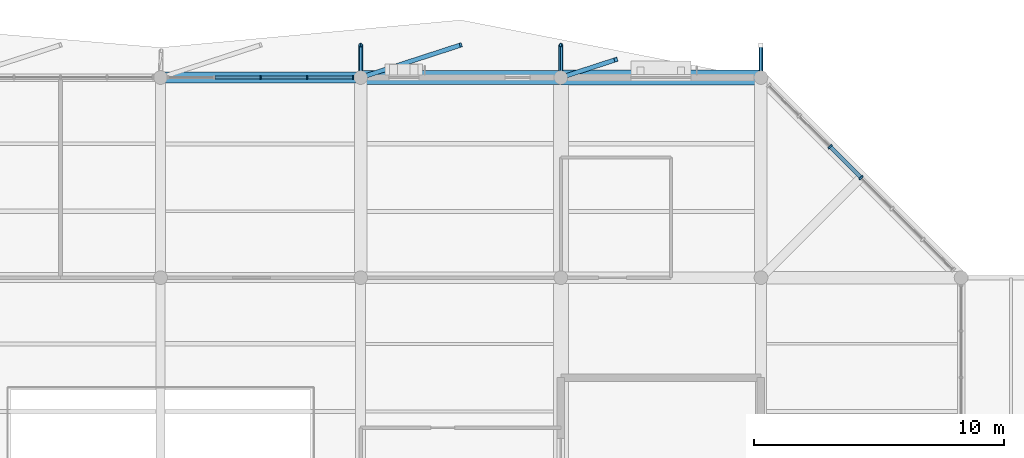
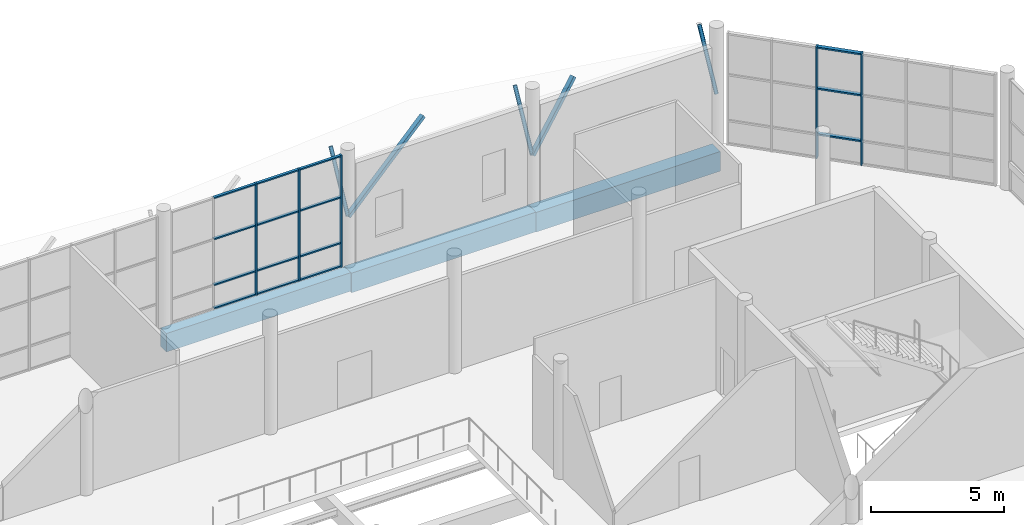
# One storey, part 64 of 122: 25 members, 3 beams, 2 elements without a shape of their own.
"""IFC4 building model written with IfcOpenShell, lengths in metres."""

import ifcopenshell
import ifcopenshell.guid

model = None  # the IFC model being written
_history = None  # IfcOwnerHistory: only IFC2X3 demands one
_inside = {}  # id of a spatial element -> (the spatial element, [elements in it])
_under = {}  # id of a project, library or spatial element -> (it, [spatial elements below it])
_declared = {}  # id of a project -> (the project, [libraries it declares])
_typed = {}  # id of a type object -> (the type object, [elements of that type])
_made_of = {}  # id of a material, layer set ... -> (it, [elements and type objects made of it])


def new_model(schema):
    """Start an empty IFC model of exactly this schema.

    Asked for "IFC4X3", IfcOpenShell would pick the latest addendum, in which some entities
    have other attributes; the version numbers below select the first issue.
    IFC2X3 requires an IfcOwnerHistory on every rooted entity: one is made here for all.
    """
    global model, _history
    if schema == "IFC4X3":
        model = ifcopenshell.file(schema_version=(4, 3, 0, 0))
    else:
        model = ifcopenshell.file(schema=schema)
    _inside.clear()
    _under.clear()
    _declared.clear()
    _typed.clear()
    _made_of.clear()
    _history = None
    if model.schema == "IFC2X3":
        org = make("IfcOrganization", Name="unknown")
        user = make(
            "IfcPersonAndOrganization",
            ThePerson=make("IfcPerson", FamilyName="unknown"),
            TheOrganization=org,
        )
        app = make(
            "IfcApplication",
            ApplicationDeveloper=org,
            Version="unknown",
            ApplicationFullName="unknown",
            ApplicationIdentifier="unknown",
        )
        _history = make(
            "IfcOwnerHistory",
            OwningUser=user,
            OwningApplication=app,
            ChangeAction="ADDED",
            CreationDate=0,
        )
    return model


def make(cls, **values):
    """One entity of the class cls with the attributes given. An attribute that is None is left unset."""
    return model.create_entity(
        cls, **{name: value for name, value in values.items() if value is not None}
    )


def rooted(cls, **values):
    """An entity with a GlobalId (a new one), such as an element, a storey or a relation."""
    return make(cls, GlobalId=ifcopenshell.guid.new(), OwnerHistory=_history, **values)


def si_unit(unit_type, name, prefix=None):
    """IfcSIUnit, for example si_unit("LENGTHUNIT", "METRE", prefix="MILLI")."""
    return make("IfcSIUnit", UnitType=unit_type, Prefix=prefix, Name=name)


def assignment(units):
    """IfcUnitAssignment: the units of a project."""
    return None if units is None else make("IfcUnitAssignment", Units=units)


def point(xyz):
    """IfcCartesianPoint."""
    return None if xyz is None else make("IfcCartesianPoint", Coordinates=xyz)


def direction(xyz):
    """IfcDirection."""
    return None if xyz is None else make("IfcDirection", DirectionRatios=xyz)


def frame(location, z_axis=None, x_axis=None):
    """IfcAxis2Placement3D, a coordinate frame: its origin and axes. An axis left out is left unset."""
    return make(
        "IfcAxis2Placement3D",
        Location=point(location),
        Axis=direction(z_axis),
        RefDirection=direction(x_axis),
    )


def frame_2d(location, x_axis=None):
    """IfcAxis2Placement2D, a coordinate frame in the plane: its origin and x axis."""
    return make(
        "IfcAxis2Placement2D", Location=point(location), RefDirection=direction(x_axis)
    )


def origin():
    """The frame at (0, 0, 0) with its axes left unset."""
    return frame((0.0, 0.0, 0.0))


def origin_2d():
    """The frame at (0, 0) in the plane with its x axis left unset."""
    return frame_2d((0.0, 0.0))


def place(relative_to, where):
    """IfcLocalPlacement: puts the frame where relative to a parent placement (None: the world)."""
    return make(
        "IfcLocalPlacement", PlacementRelTo=relative_to, RelativePlacement=where
    )


def context(
    kind, dimensions, precision=None, world=None, true_north=None, identifier=None
):
    """IfcGeometricRepresentationContext, for example the 3D "Model" context."""
    return make(
        "IfcGeometricRepresentationContext",
        ContextIdentifier=identifier,
        ContextType=kind,
        CoordinateSpaceDimension=dimensions,
        Precision=precision,
        WorldCoordinateSystem=world,
        TrueNorth=true_north,
    )


def subcontext(parent, identifier, kind, view, scale=None):
    """IfcGeometricRepresentationSubContext, for example "Body" below "Model"."""
    return make(
        "IfcGeometricRepresentationSubContext",
        ContextIdentifier=identifier,
        ContextType=kind,
        ParentContext=parent,
        TargetScale=scale,
        TargetView=view,
    )


def project(units=None, contexts=None):
    """IfcProject with its units and contexts."""
    return rooted(
        "IfcProject",
        Name="project",
        RepresentationContexts=contexts,
        UnitsInContext=assignment(units),
    )


def spatial(cls, under=None, at=None, **own):
    """A site, building, storey or space (cls), placed at a placement, below another one or the project."""
    s = rooted(cls, ObjectPlacement=at, **own)
    if under is not None:
        _under.setdefault(under.id(), (under, []))[1].append(s)
    return s


def profile(cls, at=None, kind="AREA", **sizes):
    """A parametric profile (cls). Its sizes go by their IFC names, for example OverallWidth=200.0."""
    return make(cls, ProfileType=kind, Position=at, **sizes)


def rectangle(**sizes):
    """IfcRectangleProfileDef."""
    return profile("IfcRectangleProfileDef", **sizes)


def hollow_rectangle(**sizes):
    """IfcRectangleHollowProfileDef."""
    return profile("IfcRectangleHollowProfileDef", **sizes)


def hollow_circle(**sizes):
    """IfcCircleHollowProfileDef."""
    return profile("IfcCircleHollowProfileDef", **sizes)


def extrude(swept, where, along, depth):
    """IfcExtrudedAreaSolid: the profile swept, set in the frame where, extruded along a direction by depth."""
    return make(
        "IfcExtrudedAreaSolid",
        SweptArea=swept,
        Position=where,
        ExtrudedDirection=direction(along),
        Depth=depth,
    )


def shape(context_of_items, identifier, shape_type, items):
    """IfcShapeRepresentation: the items that make up one representation, for example the "Body"."""
    return make(
        "IfcShapeRepresentation",
        ContextOfItems=context_of_items,
        RepresentationIdentifier=identifier,
        RepresentationType=shape_type,
        Items=items,
    )


def material(Name=None, Category=None):
    """IfcMaterial."""
    return make("IfcMaterial", Name=Name, Category=Category)


def material_profile(
    of_material, cross_section, Name=None, Category=None, Priority=None
):
    """IfcMaterialProfile: a cross section and its material."""
    return make(
        "IfcMaterialProfile",
        Name=Name,
        Material=of_material,
        Profile=cross_section,
        Priority=Priority,
        Category=Category,
    )


def profile_set(profiles, Name=None, composite=None):
    """IfcMaterialProfileSet."""
    return make(
        "IfcMaterialProfileSet",
        Name=Name,
        MaterialProfiles=profiles,
        CompositeProfile=composite,
    )


def made_of(thing, what):
    """Note that an element or type object is made of a material, layer set ...; save() writes the relation."""
    if what is not None:
        _made_of.setdefault(what.id(), (what, []))[1].append(thing)
    return thing


def type_object(cls, material=None, **own):
    """A type object (cls), such as IfcWallType, which elements share."""
    return made_of(rooted(cls, **own), material)


def element(
    cls,
    number,
    at=None,
    inside=None,
    cuts=None,
    type_object=None,
    material=None,
    context=None,
    identifier="Body",
    shape_type=None,
    held_by="IfcProductDefinitionShape",
    body=None,
    shapes=None,
    **own,
):
    """One element of the class cls, such as IfcWall. Its Tag is "e" and its number.

    at: its placement. inside: the storey or other place that contains it. cuts: it is an
    opening in that element (IfcRelVoidsElement). A single representation is given by context,
    identifier, shape_type and body (its items); several are given by shapes. held_by: the class
    of the entity that holds the representations. save() writes the other relations.
    """
    e = rooted(cls, Tag="e%d" % number, ObjectPlacement=at, **own)
    if body is not None:
        shapes = [shape(context, identifier, shape_type, body)]
    if shapes is not None:
        e.Representation = make(held_by, Representations=shapes)
    if inside is not None:
        _inside.setdefault(inside.id(), (inside, []))[1].append(e)
    if cuts is not None:
        rooted(
            "IfcRelVoidsElement", RelatingBuildingElement=cuts, RelatedOpeningElement=e
        )
    if type_object is not None:
        _typed.setdefault(type_object.id(), (type_object, []))[1].append(e)
    return made_of(e, material)


def aggregate(whole, parts):
    """IfcRelAggregates: a whole, such as a stair, and the parts it consists of."""
    return rooted("IfcRelAggregates", RelatingObject=whole, RelatedObjects=parts)


def save(model, path):
    """Write the relations noted so far, then the file.

    IfcRelAggregates (storeys below a building ...), IfcRelContainedInSpatialStructure (elements
    in a storey), IfcRelDefinesByType, IfcRelAssociatesMaterial and IfcRelDeclares: one each for
    every whole, place, type object, material and project.
    """
    for whole, parts in _under.values():
        aggregate(whole, parts)
    for where, things in _inside.values():
        rooted(
            "IfcRelContainedInSpatialStructure",
            RelatedElements=things,
            RelatingStructure=where,
        )
    for kind, things in _typed.values():
        rooted("IfcRelDefinesByType", RelatedObjects=things, RelatingType=kind)
    for what, things in _made_of.values():
        rooted("IfcRelAssociatesMaterial", RelatedObjects=things, RelatingMaterial=what)
    for by, libraries in _declared.values():
        rooted("IfcRelDeclares", RelatingContext=by, RelatedDefinitions=libraries)
    model.write(path)


model = new_model("IFC4")

# Units and contexts
model_context = context("Model", 3, precision=1e-05, world=origin(), true_north=direction((0.0, 1.0)))
body_context = subcontext(model_context, "Body", "Model", "MODEL_VIEW")
ifc_project = project(units=[si_unit("LENGTHUNIT", "METRE"), si_unit("AREAUNIT", "SQUARE_METRE"), si_unit("VOLUMEUNIT", "CUBIC_METRE"), si_unit("PLANEANGLEUNIT", "RADIAN"), si_unit("MASSUNIT", "GRAM", prefix="KILO")], contexts=[model_context])

# Site, building, storey
site_placement = place(None, origin())
site = spatial("IfcSite", under=ifc_project, at=site_placement, CompositionType="ELEMENT")
building_placement = place(site_placement, origin())
building = spatial("IfcBuilding", under=site, at=building_placement, Name="Tenunan Teduh Sports Hall", CompositionType="ELEMENT")
storey_placement = place(building_placement, frame((0.0, 0.0, 5.39990234375)))
storey = spatial("IfcBuildingStorey", under=building, at=storey_placement, Name="L01", CompositionType="ELEMENT", Elevation=5.39990234375)

# Beams
ifc_material_1 = material(Name="Concrete C40/50", Category="concrete")
ifc_material_profile_1 = material_profile(ifc_material_1, rectangle(XDim=0.449951171875, YDim=0.85009765625, at=origin_2d()), Name="RCB 450x850")
ifc_profile_set_1 = profile_set([ifc_material_profile_1], Name="Concrete C40/50")
beam_type_1 = type_object("IfcBeamType", Name="BM-RC-450x850", PredefinedType="BEAM", material=ifc_profile_set_1)
beam_1_placement = place(storey_placement, frame((130.0, 118.0, -0.684814453125), z_axis=(1.0, 0.0, 0.0), x_axis=(0.0, 1.0, 0.0)))
element("IfcBeam", 1, at=beam_1_placement, inside=storey, type_object=beam_type_1, Name="BM-B-13-L01-1182", PredefinedType="BEAM", context=body_context, shape_type="SweptSolid", body=[
    extrude(rectangle(XDim=0.449951171875, YDim=0.85009765625, at=origin_2d()), origin(), (0.0, 0.0, 1.0), 8.0),
])
ifc_material_2 = material(Name="Concrete C40/50", Category="concrete")
ifc_material_profile_2 = material_profile(ifc_material_2, rectangle(XDim=0.550048828125, YDim=0.89990234375, at=origin_2d()), Name="RCB 550x900")
ifc_profile_set_2 = profile_set([ifc_material_profile_2], Name="Concrete C40/50")
beam_type_2 = type_object("IfcBeamType", Name="BM-RC-550x900", PredefinedType="BEAM", material=ifc_profile_set_2)
beam_2_placement = place(storey_placement, frame((138.0, 118.0, -0.7099609375), z_axis=(1.0, 0.0, 0.0), x_axis=(0.0, 1.0, 0.0)))
element("IfcBeam", 2, at=beam_2_placement, inside=storey, type_object=beam_type_2, Name="BM-B-16-L01-1183", PredefinedType="BEAM", context=body_context, shape_type="SweptSolid", body=[
    extrude(rectangle(XDim=0.550048828125, YDim=0.89990234375, at=origin_2d()), origin(), (0.0, 0.0, 1.0), 8.0),
])
ifc_material_3 = material(Name="Concrete C40/50", Category="concrete")
ifc_material_profile_3 = material_profile(ifc_material_3, rectangle(XDim=0.60009765625, YDim=0.89990234375, at=origin_2d()), Name="RCB 600x900")
ifc_profile_set_3 = profile_set([ifc_material_profile_3], Name="Concrete C40/50")
beam_type_3 = type_object("IfcBeamType", Name="BM-RC-600x900", PredefinedType="BEAM", material=ifc_profile_set_3)
beam_3_placement = place(storey_placement, frame((146.0, 118.0, -0.7099609375), z_axis=(1.0, 0.0, 0.0), x_axis=(0.0, 1.0, 0.0)))
element("IfcBeam", 3, at=beam_3_placement, inside=storey, type_object=beam_type_3, Name="BM-B-17-L01-1184", PredefinedType="BEAM", context=body_context, shape_type="SweptSolid", body=[
    extrude(rectangle(XDim=0.60009765625, YDim=0.89990234375, at=origin_2d()), origin(), (0.0, 0.0, 1.0), 8.0),
])

# Curtain wall, members
ifc_material_4 = material(Name="Anodised aluminium", Category="aluminium")
curtain_wall_type = type_object("IfcCurtainWallType", Name="CW-UNIT-1", PredefinedType="NOTDEFINED", material=ifc_material_4)
curtain_wall_1_placement = place(storey_placement, origin())
curtain_wall_1 = element("IfcCurtainWall", 4, at=curtain_wall_1_placement, inside=storey, type_object=curtain_wall_type, Name="CW-CWM-150-L01-251", PredefinedType="NOTDEFINED")
ifc_material_5 = material(Name="Anodised aluminium", Category="aluminium")
ifc_material_profile_4 = material_profile(ifc_material_5, rectangle(XDim=0.06005859375, YDim=0.14990234375, at=origin_2d()), Name="CWM 60x150")
ifc_profile_set_4 = profile_set([ifc_material_profile_4], Name="Anodised aluminium")
member_type_1 = type_object("IfcMemberType", Name="CWM-150", PredefinedType="MULLION", material=ifc_profile_set_4)
member_1_placement = place(storey_placement, frame((134.0, 118.0, 0.0), z_axis=(0.0, 0.0, 1.0), x_axis=(1.0, 0.0, 0.0)))
member_1 = element("IfcMember", 5, at=member_1_placement, type_object=member_type_1, Name="CW-01 mullion 3", PredefinedType="MULLION", context=body_context, shape_type="SweptSolid", body=[
    extrude(rectangle(XDim=0.06005859375, YDim=0.14990234375, at=origin_2d()), origin(), (0.0, 0.0, 1.0), 5.1201171875),
])
member_2_placement = place(storey_placement, frame((135.862548828125, 118.0, 0.0), z_axis=(0.0, 0.0, 1.0), x_axis=(1.0, 0.0, 0.0)))
member_2 = element("IfcMember", 6, at=member_2_placement, type_object=member_type_1, Name="CW-01 mullion 4", PredefinedType="MULLION", context=body_context, shape_type="SweptSolid", body=[
    extrude(rectangle(XDim=0.06005859375, YDim=0.14990234375, at=origin_2d()), origin(), (0.0, 0.0, 1.0), 5.1201171875),
])
member_3_placement = place(storey_placement, frame((137.695068359375, 118.0, 0.0), z_axis=(0.0, 0.0, 1.0), x_axis=(1.0, 0.0, 0.0)))
member_3 = element("IfcMember", 7, at=member_3_placement, type_object=member_type_1, Name="CW-01 mullion 5", PredefinedType="MULLION", context=body_context, shape_type="SweptSolid", body=[
    extrude(rectangle(XDim=0.06005859375, YDim=0.14990234375, at=origin_2d()), origin(), (0.0, 0.0, 1.0), 5.1201171875),
])

curtain_wall_2_placement = place(storey_placement, origin())
curtain_wall_2 = element("IfcCurtainWall", 8, at=curtain_wall_2_placement, inside=storey, type_object=curtain_wall_type, Name="CW-CWM-200-L01-248", PredefinedType="NOTDEFINED")
ifc_material_6 = material(Name="Anodised aluminium", Category="aluminium")
ifc_material_profile_5 = material_profile(ifc_material_6, rectangle(XDim=0.070068359375, YDim=0.199951171875, at=origin_2d()), Name="CWM 70x200")
ifc_profile_set_5 = profile_set([ifc_material_profile_5], Name="Anodised aluminium")
member_type_2 = type_object("IfcMemberType", Name="CWM-200", PredefinedType="MULLION", material=ifc_profile_set_5)
member_4_placement = place(storey_placement, frame((156.762939453125, 115.237060546875, 0.0), z_axis=(0.0, 0.0, 1.0), x_axis=(-0.707106781187, 0.707106781187, 0.0)))
member_4 = element("IfcMember", 9, at=member_4_placement, type_object=member_type_2, Name="CW-01 mullion 3", PredefinedType="MULLION", context=body_context, shape_type="SweptSolid", body=[
    extrude(rectangle(XDim=0.070068359375, YDim=0.199951171875, at=origin_2d()), origin(), (0.0, 0.0, 1.0), 5.1201171875),
])
member_5_placement = place(storey_placement, frame((158.0, 114.0, 0.0), z_axis=(0.0, 0.0, 1.0), x_axis=(-0.707106781187, 0.707106781187, 0.0)))
member_5 = element("IfcMember", 10, at=member_5_placement, type_object=member_type_2, Name="CW-01 mullion 4", PredefinedType="MULLION", context=body_context, shape_type="SweptSolid", body=[
    extrude(rectangle(XDim=0.070068359375, YDim=0.199951171875, at=origin_2d()), origin(), (0.0, 0.0, 1.0), 5.1201171875),
])

# Member
ifc_material_7 = material(Name="Anodised aluminium", Category="aluminium")
ifc_material_profile_6 = material_profile(ifc_material_7, rectangle(XDim=0.06005859375, YDim=0.1201171875, at=origin_2d()), Name="CWT 60x120")
ifc_profile_set_6 = profile_set([ifc_material_profile_6], Name="Anodised aluminium")
member_type_3 = type_object("IfcMemberType", Name="CWT-125", PredefinedType="USERDEFINED", material=ifc_profile_set_6)
member_6_placement = place(storey_placement, frame((132.16748046875, 118.0, 0.030029296875), z_axis=(1.0, 0.0, 0.0), x_axis=(0.0, 0.0, 1.0)))
member_6 = element("IfcMember", 11, at=member_6_placement, type_object=member_type_3, Name="CW-01 transom 2.1", ObjectType="TRANSOM", PredefinedType="USERDEFINED", context=body_context, shape_type="SweptSolid", body=[
    extrude(rectangle(XDim=0.06005859375, YDim=0.1201171875, at=origin_2d()), origin(), (0.0, 0.0, 1.0), 1.802490234375),
])

member_7_placement = place(storey_placement, frame((132.16748046875, 118.0, 1.10009765625), z_axis=(1.0, 0.0, 0.0), x_axis=(0.0, 0.0, 1.0)))
member_7 = element("IfcMember", 12, at=member_7_placement, type_object=member_type_3, Name="CW-01 transom 2.2", ObjectType="TRANSOM", PredefinedType="USERDEFINED", context=body_context, shape_type="SweptSolid", body=[
    extrude(rectangle(XDim=0.06005859375, YDim=0.1201171875, at=origin_2d()), origin(), (0.0, 0.0, 1.0), 1.802490234375),
])

member_8_placement = place(storey_placement, frame((132.16748046875, 118.0, 3.2001953125), z_axis=(1.0, 0.0, 0.0), x_axis=(0.0, 0.0, 1.0)))
member_8 = element("IfcMember", 13, at=member_8_placement, type_object=member_type_3, Name="CW-01 transom 2.3", ObjectType="TRANSOM", PredefinedType="USERDEFINED", context=body_context, shape_type="SweptSolid", body=[
    extrude(rectangle(XDim=0.06005859375, YDim=0.1201171875, at=origin_2d()), origin(), (0.0, 0.0, 1.0), 1.802490234375),
])

member_9_placement = place(storey_placement, frame((132.16748046875, 118.0, 5.090087890625), z_axis=(1.0, 0.0, 0.0), x_axis=(0.0, 0.0, 1.0)))
member_9 = element("IfcMember", 14, at=member_9_placement, type_object=member_type_3, Name="CW-01 transom 2.4", ObjectType="TRANSOM", PredefinedType="USERDEFINED", context=body_context, shape_type="SweptSolid", body=[
    extrude(rectangle(XDim=0.06005859375, YDim=0.1201171875, at=origin_2d()), origin(), (0.0, 0.0, 1.0), 1.802490234375),
])

member_10_placement = place(storey_placement, frame((134.030029296875, 118.0, 0.030029296875), z_axis=(1.0, 0.0, 0.0), x_axis=(0.0, 0.0, 1.0)))
member_10 = element("IfcMember", 15, at=member_10_placement, type_object=member_type_3, Name="CW-01 transom 3.1", ObjectType="TRANSOM", PredefinedType="USERDEFINED", context=body_context, shape_type="SweptSolid", body=[
    extrude(rectangle(XDim=0.06005859375, YDim=0.1201171875, at=origin_2d()), origin(), (0.0, 0.0, 1.0), 1.802490234375),
])

member_11_placement = place(storey_placement, frame((134.030029296875, 118.0, 1.10009765625), z_axis=(1.0, 0.0, 0.0), x_axis=(0.0, 0.0, 1.0)))
member_11 = element("IfcMember", 16, at=member_11_placement, type_object=member_type_3, Name="CW-01 transom 3.2", ObjectType="TRANSOM", PredefinedType="USERDEFINED", context=body_context, shape_type="SweptSolid", body=[
    extrude(rectangle(XDim=0.06005859375, YDim=0.1201171875, at=origin_2d()), origin(), (0.0, 0.0, 1.0), 1.802490234375),
])

member_12_placement = place(storey_placement, frame((134.030029296875, 118.0, 3.2001953125), z_axis=(1.0, 0.0, 0.0), x_axis=(0.0, 0.0, 1.0)))
member_12 = element("IfcMember", 17, at=member_12_placement, type_object=member_type_3, Name="CW-01 transom 3.3", ObjectType="TRANSOM", PredefinedType="USERDEFINED", context=body_context, shape_type="SweptSolid", body=[
    extrude(rectangle(XDim=0.06005859375, YDim=0.1201171875, at=origin_2d()), origin(), (0.0, 0.0, 1.0), 1.802490234375),
])

member_13_placement = place(storey_placement, frame((134.030029296875, 118.0, 5.090087890625), z_axis=(1.0, 0.0, 0.0), x_axis=(0.0, 0.0, 1.0)))
member_13 = element("IfcMember", 18, at=member_13_placement, type_object=member_type_3, Name="CW-01 transom 3.4", ObjectType="TRANSOM", PredefinedType="USERDEFINED", context=body_context, shape_type="SweptSolid", body=[
    extrude(rectangle(XDim=0.06005859375, YDim=0.1201171875, at=origin_2d()), origin(), (0.0, 0.0, 1.0), 1.802490234375),
])

member_14_placement = place(storey_placement, frame((135.892578125, 118.0, 0.030029296875), z_axis=(1.0, 0.0, 0.0), x_axis=(0.0, 0.0, 1.0)))
member_14 = element("IfcMember", 19, at=member_14_placement, type_object=member_type_3, Name="CW-01 transom 4.1", ObjectType="TRANSOM", PredefinedType="USERDEFINED", context=body_context, shape_type="SweptSolid", body=[
    extrude(rectangle(XDim=0.06005859375, YDim=0.1201171875, at=origin_2d()), origin(), (0.0, 0.0, 1.0), 1.7724609375),
])

member_15_placement = place(storey_placement, frame((135.892578125, 118.0, 1.10009765625), z_axis=(1.0, 0.0, 0.0), x_axis=(0.0, 0.0, 1.0)))
member_15 = element("IfcMember", 20, at=member_15_placement, type_object=member_type_3, Name="CW-01 transom 4.2", ObjectType="TRANSOM", PredefinedType="USERDEFINED", context=body_context, shape_type="SweptSolid", body=[
    extrude(rectangle(XDim=0.06005859375, YDim=0.1201171875, at=origin_2d()), origin(), (0.0, 0.0, 1.0), 1.7724609375),
])

member_16_placement = place(storey_placement, frame((135.892578125, 118.0, 3.2001953125), z_axis=(1.0, 0.0, 0.0), x_axis=(0.0, 0.0, 1.0)))
member_16 = element("IfcMember", 21, at=member_16_placement, type_object=member_type_3, Name="CW-01 transom 4.3", ObjectType="TRANSOM", PredefinedType="USERDEFINED", context=body_context, shape_type="SweptSolid", body=[
    extrude(rectangle(XDim=0.06005859375, YDim=0.1201171875, at=origin_2d()), origin(), (0.0, 0.0, 1.0), 1.7724609375),
])

member_17_placement = place(storey_placement, frame((135.892578125, 118.0, 5.090087890625), z_axis=(1.0, 0.0, 0.0), x_axis=(0.0, 0.0, 1.0)))
member_17 = element("IfcMember", 22, at=member_17_placement, type_object=member_type_3, Name="CW-01 transom 4.4", ObjectType="TRANSOM", PredefinedType="USERDEFINED", context=body_context, shape_type="SweptSolid", body=[
    extrude(rectangle(XDim=0.06005859375, YDim=0.1201171875, at=origin_2d()), origin(), (0.0, 0.0, 1.0), 1.7724609375),
])

aggregate(curtain_wall_1, [member_1, member_2, member_3, member_6, member_7, member_8, member_9, member_10, member_11, member_12, member_13, member_14, member_15, member_16, member_17])

ifc_material_8 = material(Name="Anodised aluminium", Category="aluminium")
ifc_material_profile_7 = material_profile(ifc_material_8, rectangle(XDim=0.070068359375, YDim=0.159912109375, at=origin_2d()), Name="CWT 70x160")
ifc_profile_set_7 = profile_set([ifc_material_profile_7], Name="Anodised aluminium")
member_type_4 = type_object("IfcMemberType", Name="CWT-200", PredefinedType="USERDEFINED", material=ifc_profile_set_7)
member_18_placement = place(storey_placement, frame((156.78759765625, 115.21240234375, 1.10009765625), z_axis=(0.707106781187, -0.707106781187, 0.0), x_axis=(0.0, 0.0, 1.0)))
member_18 = element("IfcMember", 23, at=member_18_placement, type_object=member_type_4, Name="CW-01 transom 3.2", ObjectType="TRANSOM", PredefinedType="USERDEFINED", context=body_context, shape_type="SweptSolid", body=[
    extrude(rectangle(XDim=0.070068359375, YDim=0.159912109375, at=origin_2d()), origin(), (0.0, 0.0, 1.0), 1.6796875),
])

member_19_placement = place(storey_placement, frame((156.78759765625, 115.21240234375, 3.2001953125), z_axis=(0.707106781187, -0.707106781187, 0.0), x_axis=(0.0, 0.0, 1.0)))
member_19 = element("IfcMember", 24, at=member_19_placement, type_object=member_type_4, Name="CW-01 transom 3.3", ObjectType="TRANSOM", PredefinedType="USERDEFINED", context=body_context, shape_type="SweptSolid", body=[
    extrude(rectangle(XDim=0.070068359375, YDim=0.159912109375, at=origin_2d()), origin(), (0.0, 0.0, 1.0), 1.6796875),
])

member_20_placement = place(storey_placement, frame((156.78759765625, 115.21240234375, 5.085205078125), z_axis=(0.707106781187, -0.707106781187, 0.0), x_axis=(0.0, 0.0, 1.0)))
member_20 = element("IfcMember", 25, at=member_20_placement, type_object=member_type_4, Name="CW-01 transom 3.4", ObjectType="TRANSOM", PredefinedType="USERDEFINED", context=body_context, shape_type="SweptSolid", body=[
    extrude(rectangle(XDim=0.070068359375, YDim=0.159912109375, at=origin_2d()), origin(), (0.0, 0.0, 1.0), 1.6796875),
])

aggregate(curtain_wall_2, [member_4, member_5, member_18, member_19, member_20])

# Members
ifc_material_9 = material(Name="Steel S355", Category="steel")
ifc_material_profile_8 = material_profile(ifc_material_9, hollow_circle(Radius=0.084228515625, WallThickness=0.008056640625, at=origin_2d()), Name="CHS 168.3x8.0")
ifc_profile_set_8 = profile_set([ifc_material_profile_8], Name="Steel S355")
member_type_5 = type_object("IfcMemberType", Name="MEM-BR-CHS168", PredefinedType="BRACE", material=ifc_profile_set_8)
for number, where, z_axis, x_axis, name in (
    (26, (138.0, 118.0, 2.2001953125), (0.0, 0.473256928489, 0.880924446044), (-1.0, 0.0, 0.0), "MEM-GD-04-L01-1225"),
    (27, (146.0, 118.0, 2.2001953125), (0.0, 0.473256928489, 0.880924446044), (-1.0, 0.0, 0.0), "MEM-GD-04-L01-1229"),
    (28, (154.0, 118.0, 2.2001953125), (0.0, 0.473256928489, 0.880924446044), (-1.0, 0.0, 0.0), "MEM-GD-04-L01-1233"),
):
    element("IfcMember", number, at=place(storey_placement, frame(where, z_axis=z_axis, x_axis=x_axis)), inside=storey, type_object=member_type_5, Name=name, PredefinedType="BRACE", context=body_context, shape_type="SweptSolid", body=[
        extrude(hollow_circle(Radius=0.084228515625, WallThickness=0.008056640625, at=origin_2d()), origin(), (0.0, 0.0, 1.0), 2.7470703125),
    ])
ifc_material_10 = material(Name="Steel S355", Category="steel")
ifc_material_profile_9 = material_profile(ifc_material_10, hollow_rectangle(XDim=0.179931640625, YDim=0.179931640625, WallThickness=0.010009765625, at=origin_2d()), Name="SHS 180x180x10.0")
ifc_profile_set_9 = profile_set([ifc_material_profile_9], Name="Steel S355")
member_type_6 = type_object("IfcMemberType", Name="MEM-ST-SHS180", PredefinedType="STRUT", material=ifc_profile_set_9)
member_21_placement = place(storey_placement, frame((138.0, 118.0, 2.2001953125), z_axis=(0.824327994458, 0.267916660796, 0.498702336491), x_axis=(-0.309096572498, 0.951030656115, 0.0)))
element("IfcMember", 29, at=member_21_placement, inside=storey, type_object=member_type_6, Name="MEM-VS-03-L01-1228", PredefinedType="STRUT", context=body_context, shape_type="SweptSolid", body=[
    extrude(hollow_rectangle(XDim=0.179931640625, YDim=0.179931640625, WallThickness=0.010009765625, at=origin_2d()), origin(), (0.0, 0.0, 1.0), 4.8525390625),
])
member_22_placement = place(storey_placement, frame((146.0, 118.0, 2.2001953125), z_axis=(0.65715119136, 0.21360513145, 0.722859017729), x_axis=(-0.309126641415, 0.951020882824, 0.0)))
element("IfcMember", 30, at=member_22_placement, inside=storey, type_object=member_type_6, Name="MEM-VS-03-L01-1232", PredefinedType="STRUT", context=body_context, shape_type="SweptSolid", body=[
    extrude(hollow_rectangle(XDim=0.179931640625, YDim=0.179931640625, WallThickness=0.010009765625, at=origin_2d()), origin(), (0.0, 0.0, 1.0), 3.34765625),
])

save(model, "model.ifc")
